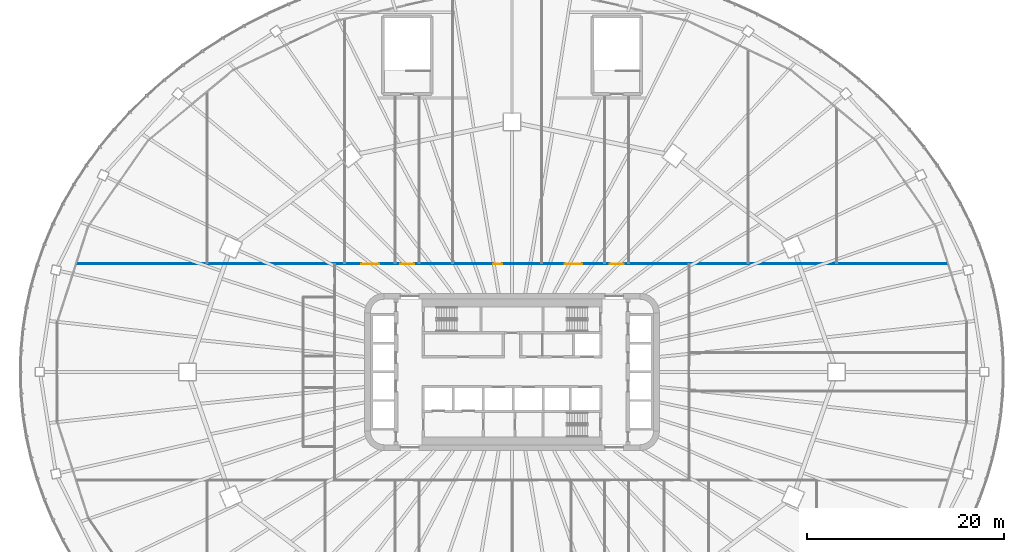
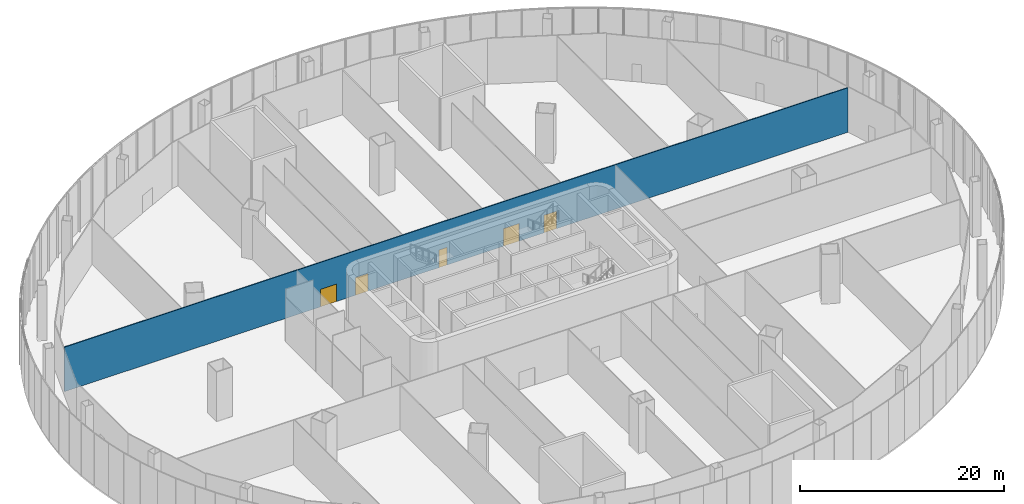
# One storey, part 24 of 33: 5 doors, 1 wall, 5 openings.
"""IFC4 building model written with IfcOpenShell, lengths in metres."""

import ifcopenshell
import ifcopenshell.guid

model = None  # the IFC model being written
_history = None  # IfcOwnerHistory: only IFC2X3 demands one
_inside = {}  # id of a spatial element -> (the spatial element, [elements in it])
_under = {}  # id of a project, library or spatial element -> (it, [spatial elements below it])
_declared = {}  # id of a project -> (the project, [libraries it declares])
_typed = {}  # id of a type object -> (the type object, [elements of that type])
_made_of = {}  # id of a material, layer set ... -> (it, [elements and type objects made of it])


def new_model(schema):
    """Start an empty IFC model of exactly this schema.

    Asked for "IFC4X3", IfcOpenShell would pick the latest addendum, in which some entities
    have other attributes; the version numbers below select the first issue.
    IFC2X3 requires an IfcOwnerHistory on every rooted entity: one is made here for all.
    """
    global model, _history
    if schema == "IFC4X3":
        model = ifcopenshell.file(schema_version=(4, 3, 0, 0))
    else:
        model = ifcopenshell.file(schema=schema)
    _inside.clear()
    _under.clear()
    _declared.clear()
    _typed.clear()
    _made_of.clear()
    _history = None
    if model.schema == "IFC2X3":
        org = make("IfcOrganization", Name="unknown")
        user = make(
            "IfcPersonAndOrganization",
            ThePerson=make("IfcPerson", FamilyName="unknown"),
            TheOrganization=org,
        )
        app = make(
            "IfcApplication",
            ApplicationDeveloper=org,
            Version="unknown",
            ApplicationFullName="unknown",
            ApplicationIdentifier="unknown",
        )
        _history = make(
            "IfcOwnerHistory",
            OwningUser=user,
            OwningApplication=app,
            ChangeAction="ADDED",
            CreationDate=0,
        )
    return model


def make(cls, **values):
    """One entity of the class cls with the attributes given. An attribute that is None is left unset."""
    return model.create_entity(
        cls, **{name: value for name, value in values.items() if value is not None}
    )


def rooted(cls, **values):
    """An entity with a GlobalId (a new one), such as an element, a storey or a relation."""
    return make(cls, GlobalId=ifcopenshell.guid.new(), OwnerHistory=_history, **values)


def si_unit(unit_type, name, prefix=None):
    """IfcSIUnit, for example si_unit("LENGTHUNIT", "METRE", prefix="MILLI")."""
    return make("IfcSIUnit", UnitType=unit_type, Prefix=prefix, Name=name)


def assignment(units):
    """IfcUnitAssignment: the units of a project."""
    return None if units is None else make("IfcUnitAssignment", Units=units)


def point(xyz):
    """IfcCartesianPoint."""
    return None if xyz is None else make("IfcCartesianPoint", Coordinates=xyz)


def direction(xyz):
    """IfcDirection."""
    return None if xyz is None else make("IfcDirection", DirectionRatios=xyz)


def frame(location, z_axis=None, x_axis=None):
    """IfcAxis2Placement3D, a coordinate frame: its origin and axes. An axis left out is left unset."""
    return make(
        "IfcAxis2Placement3D",
        Location=point(location),
        Axis=direction(z_axis),
        RefDirection=direction(x_axis),
    )


def frame_2d(location, x_axis=None):
    """IfcAxis2Placement2D, a coordinate frame in the plane: its origin and x axis."""
    return make(
        "IfcAxis2Placement2D", Location=point(location), RefDirection=direction(x_axis)
    )


def origin():
    """The frame at (0, 0, 0) with its axes left unset."""
    return frame((0.0, 0.0, 0.0))


def place(relative_to, where):
    """IfcLocalPlacement: puts the frame where relative to a parent placement (None: the world)."""
    return make(
        "IfcLocalPlacement", PlacementRelTo=relative_to, RelativePlacement=where
    )


def context(
    kind, dimensions, precision=None, world=None, true_north=None, identifier=None
):
    """IfcGeometricRepresentationContext, for example the 3D "Model" context."""
    return make(
        "IfcGeometricRepresentationContext",
        ContextIdentifier=identifier,
        ContextType=kind,
        CoordinateSpaceDimension=dimensions,
        Precision=precision,
        WorldCoordinateSystem=world,
        TrueNorth=true_north,
    )


def subcontext(parent, identifier, kind, view, scale=None):
    """IfcGeometricRepresentationSubContext, for example "Body" below "Model"."""
    return make(
        "IfcGeometricRepresentationSubContext",
        ContextIdentifier=identifier,
        ContextType=kind,
        ParentContext=parent,
        TargetScale=scale,
        TargetView=view,
    )


def project(units=None, contexts=None):
    """IfcProject with its units and contexts."""
    return rooted(
        "IfcProject",
        Name="project",
        RepresentationContexts=contexts,
        UnitsInContext=assignment(units),
    )


def spatial(cls, under=None, at=None, **own):
    """A site, building, storey or space (cls), placed at a placement, below another one or the project."""
    s = rooted(cls, ObjectPlacement=at, **own)
    if under is not None:
        _under.setdefault(under.id(), (under, []))[1].append(s)
    return s


def profile(cls, at=None, kind="AREA", **sizes):
    """A parametric profile (cls). Its sizes go by their IFC names, for example OverallWidth=200.0."""
    return make(cls, ProfileType=kind, Position=at, **sizes)


def rectangle(**sizes):
    """IfcRectangleProfileDef."""
    return profile("IfcRectangleProfileDef", **sizes)


def extrude(swept, where, along, depth):
    """IfcExtrudedAreaSolid: the profile swept, set in the frame where, extruded along a direction by depth."""
    return make(
        "IfcExtrudedAreaSolid",
        SweptArea=swept,
        Position=where,
        ExtrudedDirection=direction(along),
        Depth=depth,
    )


def shape(context_of_items, identifier, shape_type, items):
    """IfcShapeRepresentation: the items that make up one representation, for example the "Body"."""
    return make(
        "IfcShapeRepresentation",
        ContextOfItems=context_of_items,
        RepresentationIdentifier=identifier,
        RepresentationType=shape_type,
        Items=items,
    )


def material(Name=None, Category=None):
    """IfcMaterial."""
    return make("IfcMaterial", Name=Name, Category=Category)


def layer(
    of_material, thickness, ventilated=None, Name=None, Category=None, Priority=None
):
    """IfcMaterialLayer: one layer of a wall or slab, of a material (None: an air gap)."""
    return make(
        "IfcMaterialLayer",
        Material=of_material,
        LayerThickness=thickness,
        IsVentilated=ventilated,
        Name=Name,
        Category=Category,
        Priority=Priority,
    )


def layer_set(layers, Name=None):
    """IfcMaterialLayerSet."""
    return make("IfcMaterialLayerSet", MaterialLayers=layers, LayerSetName=Name)


def made_of(thing, what):
    """Note that an element or type object is made of a material, layer set ...; save() writes the relation."""
    if what is not None:
        _made_of.setdefault(what.id(), (what, []))[1].append(thing)
    return thing


def type_object(cls, material=None, **own):
    """A type object (cls), such as IfcWallType, which elements share."""
    return made_of(rooted(cls, **own), material)


def element(
    cls,
    number,
    at=None,
    inside=None,
    cuts=None,
    type_object=None,
    material=None,
    context=None,
    identifier="Body",
    shape_type=None,
    held_by="IfcProductDefinitionShape",
    body=None,
    shapes=None,
    **own,
):
    """One element of the class cls, such as IfcWall. Its Tag is "e" and its number.

    at: its placement. inside: the storey or other place that contains it. cuts: it is an
    opening in that element (IfcRelVoidsElement). A single representation is given by context,
    identifier, shape_type and body (its items); several are given by shapes. held_by: the class
    of the entity that holds the representations. save() writes the other relations.
    """
    e = rooted(cls, Tag="e%d" % number, ObjectPlacement=at, **own)
    if body is not None:
        shapes = [shape(context, identifier, shape_type, body)]
    if shapes is not None:
        e.Representation = make(held_by, Representations=shapes)
    if inside is not None:
        _inside.setdefault(inside.id(), (inside, []))[1].append(e)
    if cuts is not None:
        rooted(
            "IfcRelVoidsElement", RelatingBuildingElement=cuts, RelatedOpeningElement=e
        )
    if type_object is not None:
        _typed.setdefault(type_object.id(), (type_object, []))[1].append(e)
    return made_of(e, material)


def fill(opening, filler):
    """IfcRelFillsElement: the door or window that sits in an opening."""
    return rooted(
        "IfcRelFillsElement",
        RelatingOpeningElement=opening,
        RelatedBuildingElement=filler,
    )


def aggregate(whole, parts):
    """IfcRelAggregates: a whole, such as a stair, and the parts it consists of."""
    return rooted("IfcRelAggregates", RelatingObject=whole, RelatedObjects=parts)


def save(model, path):
    """Write the relations noted so far, then the file.

    IfcRelAggregates (storeys below a building ...), IfcRelContainedInSpatialStructure (elements
    in a storey), IfcRelDefinesByType, IfcRelAssociatesMaterial and IfcRelDeclares: one each for
    every whole, place, type object, material and project.
    """
    for whole, parts in _under.values():
        aggregate(whole, parts)
    for where, things in _inside.values():
        rooted(
            "IfcRelContainedInSpatialStructure",
            RelatedElements=things,
            RelatingStructure=where,
        )
    for kind, things in _typed.values():
        rooted("IfcRelDefinesByType", RelatedObjects=things, RelatingType=kind)
    for what, things in _made_of.values():
        rooted("IfcRelAssociatesMaterial", RelatedObjects=things, RelatingMaterial=what)
    for by, libraries in _declared.values():
        rooted("IfcRelDeclares", RelatingContext=by, RelatedDefinitions=libraries)
    model.write(path)


model = new_model("IFC4")

# Units and contexts
model_context = context("Model", 3, precision=1e-05, world=origin(), true_north=direction((0.0, 1.0)))
body_context = subcontext(model_context, "Body", "Model", "MODEL_VIEW")
ifc_project = project(units=[si_unit("LENGTHUNIT", "METRE"), si_unit("AREAUNIT", "SQUARE_METRE"), si_unit("VOLUMEUNIT", "CUBIC_METRE"), si_unit("PLANEANGLEUNIT", "RADIAN"), si_unit("MASSUNIT", "GRAM", prefix="KILO")], contexts=[model_context])

# Site, building, storey
site_placement = place(None, origin())
site = spatial("IfcSite", under=ifc_project, at=site_placement, CompositionType="ELEMENT")
building_placement = place(site_placement, origin())
building = spatial("IfcBuilding", under=site, at=building_placement, Name="Sahrelin Media Tower", CompositionType="ELEMENT")
storey_placement = place(building_placement, frame((0.0, 0.0, 37.39990234375)))
storey = spatial("IfcBuildingStorey", under=building, at=storey_placement, Name="L05", CompositionType="ELEMENT", Elevation=37.39990234375)

# Wall, openings, doors
ifc_material_1 = material(Name="Gypsum board partition")
ifc_layer = layer(ifc_material_1, 0.10009765625)
ifc_layer_set = layer_set([ifc_layer], Name="Partition 100")
wall_type = type_object("IfcWallType", Name="Partition 100", PredefinedType="PARTITIONING", material=ifc_layer_set)
wall_placement = place(storey_placement, frame((-44.256103515625, 11.0, 0.0), z_axis=(0.0, 0.0, 1.0), x_axis=(1.0, 0.0, 0.0)))
wall = element("IfcWall", 1, at=wall_placement, inside=storey, type_object=wall_type, Name="Wall", PredefinedType="PARTITIONING", context=body_context, shape_type="SweptSolid", body=[
    extrude(rectangle(XDim=88.51220703125, YDim=0.10009765625, at=frame_2d((44.256103515625, 0.0))), origin(), (0.0, 0.0, 1.0), 5.318359375),
])
opening_1_placement = place(wall_placement, frame((54.199951171875, 0.0, 0.0)))
opening_1 = element("IfcOpeningElement", 2, at=opening_1_placement, cuts=wall, Name="Opening L05-D19", PredefinedType="OPENING", context=body_context, shape_type="SweptSolid", body=[
    extrude(rectangle(XDim=1.39990234375, YDim=2.10009765625, at=frame_2d((0.699951171875, 1.050048828125))), frame((0.0, 0.050048828125, 0.0), z_axis=(0.0, -1.0, 0.0), x_axis=(1.0, 0.0, 0.0)), (0.0, 0.0, 1.0), 0.10009765625),
])
opening_2_placement = place(wall_placement, frame((32.89990234375, 0.0, 0.0)))
opening_2 = element("IfcOpeningElement", 3, at=opening_2_placement, cuts=wall, Name="Opening L05-D20", PredefinedType="OPENING", context=body_context, shape_type="SweptSolid", body=[
    extrude(rectangle(XDim=1.39990234375, YDim=2.10009765625, at=frame_2d((0.699951171875, 1.050048828125))), frame((0.0, 0.050048828125, 0.0), z_axis=(0.0, -1.0, 0.0), x_axis=(1.0, 0.0, 0.0)), (0.0, 0.0, 1.0), 0.10009765625),
])
opening_3_placement = place(wall_placement, frame((28.949951171875, 0.0, 0.0)))
opening_3 = element("IfcOpeningElement", 4, at=opening_3_placement, cuts=wall, Name="Opening L05-D27", PredefinedType="OPENING", context=body_context, shape_type="SweptSolid", body=[
    extrude(rectangle(XDim=1.800048828125, YDim=2.10009765625, at=frame_2d((0.89990234375, 1.050048828125))), frame((0.0, 0.050048828125, 0.0), z_axis=(0.0, -1.0, 0.0), x_axis=(1.0, 0.0, 0.0)), (0.0, 0.0, 1.0), 0.10009765625),
])
opening_4_placement = place(wall_placement, frame((42.35009765625, 0.0, 0.0)))
opening_4 = element("IfcOpeningElement", 5, at=opening_4_placement, cuts=wall, Name="Opening L05-D29", PredefinedType="OPENING", context=body_context, shape_type="SweptSolid", body=[
    extrude(rectangle(XDim=0.89990234375, YDim=2.10009765625, at=frame_2d((0.449951171875, 1.050048828125))), frame((0.0, 0.050048828125, 0.0), z_axis=(0.0, -1.0, 0.0), x_axis=(1.0, 0.0, 0.0)), (0.0, 0.0, 1.0), 0.10009765625),
])
opening_5_placement = place(wall_placement, frame((49.60009765625, 0.0, 0.0)))
opening_5 = element("IfcOpeningElement", 6, at=opening_5_placement, cuts=wall, Name="Opening L05-D31", PredefinedType="OPENING", context=body_context, shape_type="SweptSolid", body=[
    extrude(rectangle(XDim=1.800048828125, YDim=2.10009765625, at=frame_2d((0.89990234375, 1.050048828125))), frame((0.0, 0.050048828125, 0.0), z_axis=(0.0, -1.0, 0.0), x_axis=(1.0, 0.0, 0.0)), (0.0, 0.0, 1.0), 0.10009765625),
])
ifc_material_2 = material(Name="Timber door leaf", Category="wood")
door_type_1 = type_object("IfcDoorType", Name="Double door 1800 x 2100", OperationType="DOUBLE_DOOR_SINGLE_SWING", PredefinedType="DOOR", material=ifc_material_2)
door_1_placement = place(opening_3_placement, origin())
door_1 = element("IfcDoor", 7, at=door_1_placement, inside=storey, type_object=door_type_1, Name="Double door", OperationType="DOUBLE_DOOR_SINGLE_SWING", OverallHeight=2.10009765625, OverallWidth=1.800048828125, PredefinedType="DOOR", context=body_context, shape_type="SweptSolid", body=[
    extrude(rectangle(XDim=1.800048828125, YDim=2.10009765625, at=frame_2d((0.89990234375, 1.050048828125))), frame((0.0, 0.02490234375, 0.0), z_axis=(0.0, -1.0, 0.0), x_axis=(1.0, 0.0, 0.0)), (0.0, 0.0, 1.0), 0.050048828125),
])
fill(opening_3, door_1)
door_2_placement = place(opening_5_placement, origin())
door_2 = element("IfcDoor", 8, at=door_2_placement, inside=storey, type_object=door_type_1, Name="Double door", OperationType="DOUBLE_DOOR_SINGLE_SWING", OverallHeight=2.10009765625, OverallWidth=1.800048828125, PredefinedType="DOOR", context=body_context, shape_type="SweptSolid", body=[
    extrude(rectangle(XDim=1.800048828125, YDim=2.10009765625, at=frame_2d((0.89990234375, 1.050048828125))), frame((0.0, 0.02490234375, 0.0), z_axis=(0.0, -1.0, 0.0), x_axis=(1.0, 0.0, 0.0)), (0.0, 0.0, 1.0), 0.050048828125),
])
fill(opening_5, door_2)
door_type_2 = type_object("IfcDoorType", Name="Single door 1400 x 2100", OperationType="NOTDEFINED", PredefinedType="DOOR", material=ifc_material_2)
door_3_placement = place(opening_1_placement, origin())
door_3 = element("IfcDoor", 9, at=door_3_placement, inside=storey, type_object=door_type_2, Name="Single door", OperationType="SINGLE_SWING_RIGHT", OverallHeight=2.10009765625, OverallWidth=1.39990234375, PredefinedType="DOOR", context=body_context, shape_type="SweptSolid", body=[
    extrude(rectangle(XDim=1.39990234375, YDim=2.10009765625, at=frame_2d((0.699951171875, 1.050048828125))), frame((0.0, 0.02490234375, 0.0), z_axis=(0.0, -1.0, 0.0), x_axis=(1.0, 0.0, 0.0)), (0.0, 0.0, 1.0), 0.050048828125),
])
fill(opening_1, door_3)
door_4_placement = place(opening_2_placement, origin())
door_4 = element("IfcDoor", 10, at=door_4_placement, inside=storey, type_object=door_type_2, Name="Single door", OperationType="SINGLE_SWING_LEFT", OverallHeight=2.10009765625, OverallWidth=1.39990234375, PredefinedType="DOOR", context=body_context, shape_type="SweptSolid", body=[
    extrude(rectangle(XDim=1.39990234375, YDim=2.10009765625, at=frame_2d((0.699951171875, 1.050048828125))), frame((0.0, 0.02490234375, 0.0), z_axis=(0.0, -1.0, 0.0), x_axis=(1.0, 0.0, 0.0)), (0.0, 0.0, 1.0), 0.050048828125),
])
fill(opening_2, door_4)
door_type_3 = type_object("IfcDoorType", Name="Single door 900 x 2100", OperationType="NOTDEFINED", PredefinedType="DOOR", material=ifc_material_2)
door_5_placement = place(opening_4_placement, origin())
door_5 = element("IfcDoor", 11, at=door_5_placement, inside=storey, type_object=door_type_3, Name="Single door", OperationType="SINGLE_SWING_LEFT", OverallHeight=2.10009765625, OverallWidth=0.89990234375, PredefinedType="DOOR", context=body_context, shape_type="SweptSolid", body=[
    extrude(rectangle(XDim=0.89990234375, YDim=2.10009765625, at=frame_2d((0.449951171875, 1.050048828125))), frame((0.0, 0.02490234375, 0.0), z_axis=(0.0, -1.0, 0.0), x_axis=(1.0, 0.0, 0.0)), (0.0, 0.0, 1.0), 0.050048828125),
])
fill(opening_4, door_5)

save(model, "model.ifc")
